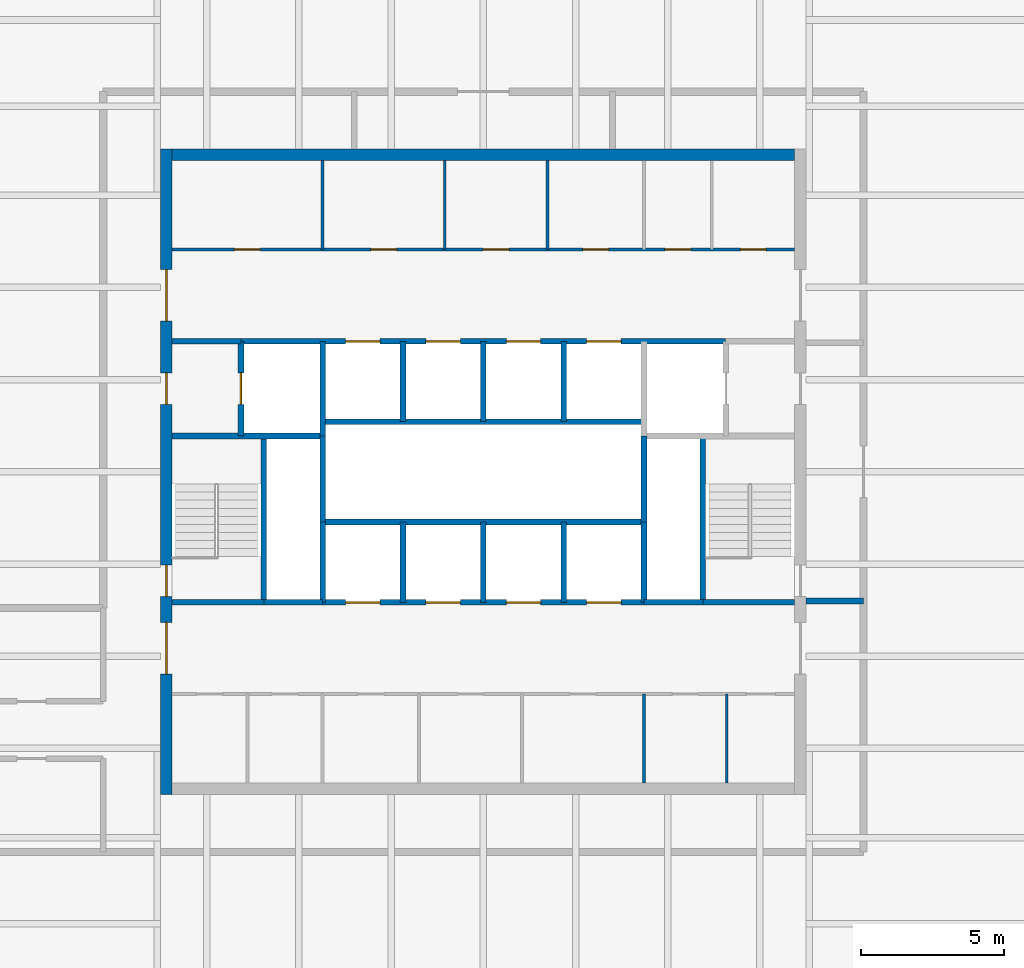
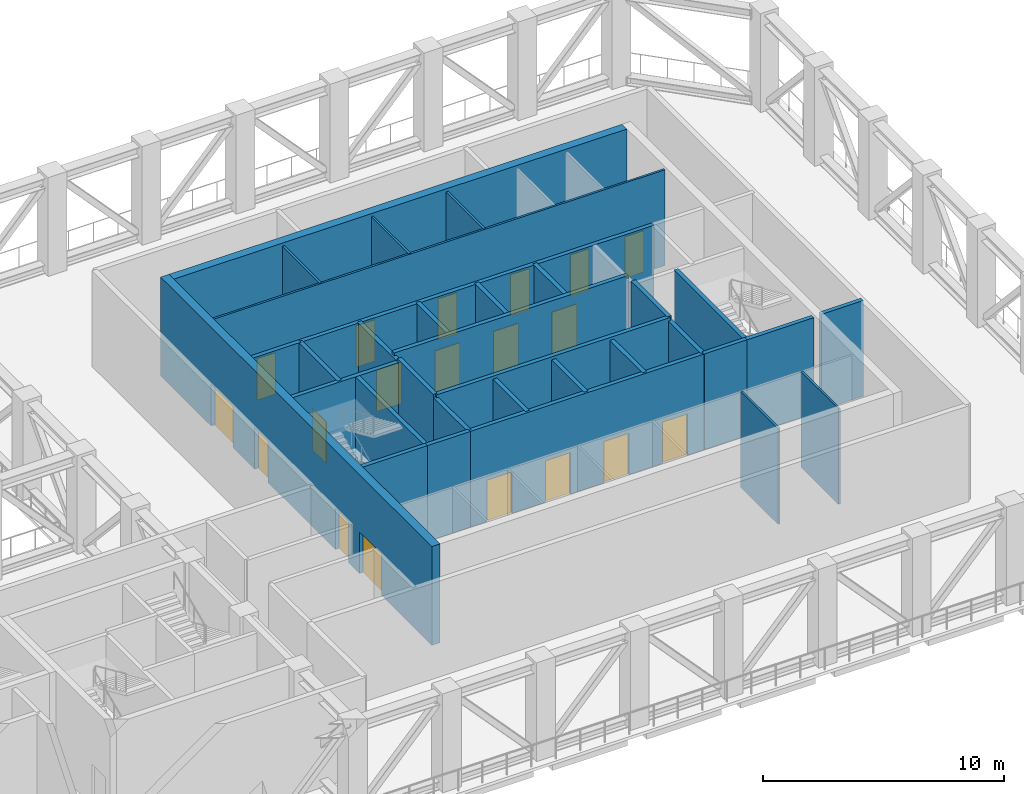
# One storey, part 5 of 13: 33 walls, 19 doors, 19 openings.
"""IFC4 building model written with IfcOpenShell, lengths in metres."""

from ifc_helpers import new_model, si_unit, direction, frame, frame_2d, origin, place, context, subcontext, project, spatial, rectangle, extrude, material, layer, layer_set, type_object, element, fill, save


model = new_model("IFC4")

# Units and contexts
model_context = context("Model", 3, precision=1e-05, world=origin(), true_north=direction((0.0, 1.0)))
body_context = subcontext(model_context, "Body", "Model", "MODEL_VIEW")
ifc_project = project(units=[si_unit("LENGTHUNIT", "METRE"), si_unit("AREAUNIT", "SQUARE_METRE"), si_unit("VOLUMEUNIT", "CUBIC_METRE"), si_unit("PLANEANGLEUNIT", "RADIAN"), si_unit("MASSUNIT", "GRAM", prefix="KILO")], contexts=[model_context])

# Site, building, storey
site_placement = place(None, origin())
site = spatial("IfcSite", under=ifc_project, at=site_placement, CompositionType="ELEMENT")
building_placement = place(site_placement, origin())
building = spatial("IfcBuilding", under=site, at=building_placement, Name="Quoin Convention Tower", CompositionType="ELEMENT")
storey_placement = place(building_placement, frame((0.0, 0.0, 206.89990234375)))
storey = spatial("IfcBuildingStorey", under=building, at=storey_placement, Name="L54", CompositionType="ELEMENT", Elevation=206.89990234375)

# Wall, openings, doors
ifc_material_1 = material(Name="Plasterboard")
ifc_layer_1 = layer(ifc_material_1, 0.012451171875, Name="Finish")
ifc_material_2 = material(Name="Steel stud framing", Category="steel")
ifc_layer_2 = layer(ifc_material_2, 0.074951171875, Name="Structure")
ifc_layer_3 = layer(ifc_material_1, 0.012451171875, Name="Finish")
ifc_layer_set_1 = layer_set([ifc_layer_1, ifc_layer_2, ifc_layer_3], Name="Steel stud framing")
wall_type_1 = type_object("IfcWallType", Name="Core partition wall", PredefinedType="PARTITIONING", material=ifc_layer_set_1)
wall_1_placement = place(storey_placement, frame((45.39990234375, 68.5, 0.0), z_axis=(0.0, 0.0, 1.0), x_axis=(1.0, 0.0, 0.0)))
wall_1 = element("IfcWall", 1, at=wall_1_placement, inside=storey, type_object=wall_type_1, Name="cr-C1-L54-h19000_400", PredefinedType="PARTITIONING", context=body_context, shape_type="SweptSolid", body=[
    extrude(rectangle(XDim=21.7001953125, YDim=0.10009765625, at=frame_2d((10.85009765625, 0.0))), origin(), (0.0, 0.0, 1.0), 4.85009765625),
])
opening_1_placement = place(wall_1_placement, frame((19.806396484375, 0.0, 0.0)))
opening_1 = element("IfcOpeningElement", 2, at=opening_1_placement, cuts=wall_1, Name="Opening DCV0-22", PredefinedType="OPENING", context=body_context, shape_type="SweptSolid", body=[
    extrude(rectangle(XDim=0.89990234375, YDim=2.10009765625, at=frame_2d((0.449951171875, 1.050048828125))), frame((0.0, 0.06005859375, 0.0), z_axis=(0.0, -1.0, 0.0), x_axis=(1.0, 0.0, 0.0)), (0.0, 0.0, 1.0), 0.1201171875),
])
opening_2_placement = place(wall_1_placement, frame((17.181396484375, 0.0, 0.0)))
opening_2 = element("IfcOpeningElement", 3, at=opening_2_placement, cuts=wall_1, Name="Opening DCV0-21", PredefinedType="OPENING", context=body_context, shape_type="SweptSolid", body=[
    extrude(rectangle(XDim=0.89990234375, YDim=2.10009765625, at=frame_2d((0.449951171875, 1.050048828125))), frame((0.0, 0.06005859375, 0.0), z_axis=(0.0, -1.0, 0.0), x_axis=(1.0, 0.0, 0.0)), (0.0, 0.0, 1.0), 0.1201171875),
])
opening_3_placement = place(wall_1_placement, frame((2.175048828125, 0.0, 0.0)))
opening_3 = element("IfcOpeningElement", 4, at=opening_3_placement, cuts=wall_1, Name="Opening DCV0-15", PredefinedType="OPENING", context=body_context, shape_type="SweptSolid", body=[
    extrude(rectangle(XDim=0.89990234375, YDim=2.10009765625, at=frame_2d((0.449951171875, 1.050048828125))), frame((0.0, 0.06005859375, 0.0), z_axis=(0.0, -1.0, 0.0), x_axis=(1.0, 0.0, 0.0)), (0.0, 0.0, 1.0), 0.1201171875),
])
opening_4_placement = place(wall_1_placement, frame((14.320068359375, 0.0, 0.0)))
opening_4 = element("IfcOpeningElement", 5, at=opening_4_placement, cuts=wall_1, Name="Opening DCV0-20", PredefinedType="OPENING", context=body_context, shape_type="SweptSolid", body=[
    extrude(rectangle(XDim=0.89990234375, YDim=2.10009765625, at=frame_2d((0.449951171875, 1.050048828125))), frame((0.0, 0.06005859375, 0.0), z_axis=(0.0, -1.0, 0.0), x_axis=(1.0, 0.0, 0.0)), (0.0, 0.0, 1.0), 0.1201171875),
])
opening_5_placement = place(wall_1_placement, frame((10.847900390625, 0.0, 0.0)))
opening_5 = element("IfcOpeningElement", 6, at=opening_5_placement, cuts=wall_1, Name="Opening DCV0-18", PredefinedType="OPENING", context=body_context, shape_type="SweptSolid", body=[
    extrude(rectangle(XDim=0.89990234375, YDim=2.10009765625, at=frame_2d((0.449951171875, 1.050048828125))), frame((0.0, 0.06005859375, 0.0), z_axis=(0.0, -1.0, 0.0), x_axis=(1.0, 0.0, 0.0)), (0.0, 0.0, 1.0), 0.1201171875),
])
opening_6_placement = place(wall_1_placement, frame((6.927978515625, 0.0, 0.0)))
opening_6 = element("IfcOpeningElement", 7, at=opening_6_placement, cuts=wall_1, Name="Opening DCV0-16", PredefinedType="OPENING", context=body_context, shape_type="SweptSolid", body=[
    extrude(rectangle(XDim=0.89990234375, YDim=2.10009765625, at=frame_2d((0.449951171875, 1.050048828125))), frame((0.0, 0.06005859375, 0.0), z_axis=(0.0, -1.0, 0.0), x_axis=(1.0, 0.0, 0.0)), (0.0, 0.0, 1.0), 0.1201171875),
])
ifc_material_3 = material(Name="Steel door leaf", Category="steel")
door_type_1 = type_object("IfcDoorType", Name="Core room door 900 x 2100", OperationType="SINGLE_SWING_LEFT", PredefinedType="DOOR", material=ifc_material_3)
door_1_placement = place(opening_1_placement, origin())
door_1 = element("IfcDoor", 8, at=door_1_placement, inside=storey, type_object=door_type_1, Name="cd-C1-L54-CNE0-lobB-CD5407", OperationType="SINGLE_SWING_RIGHT", OverallHeight=2.10009765625, OverallWidth=0.89990234375, PredefinedType="DOOR", context=body_context, shape_type="SweptSolid", body=[
    extrude(rectangle(XDim=0.89990234375, YDim=2.10009765625, at=frame_2d((0.449951171875, 1.050048828125))), frame((0.0, 0.02490234375, 0.0), z_axis=(0.0, -1.0, 0.0), x_axis=(1.0, 0.0, 0.0)), (0.0, 0.0, 1.0), 0.050048828125),
])
fill(opening_1, door_1)
door_2_placement = place(opening_2_placement, origin())
door_2 = element("IfcDoor", 9, at=door_2_placement, inside=storey, type_object=door_type_1, Name="cd-C1-L54-CNE1-lobB-CD5408", OperationType="SINGLE_SWING_RIGHT", OverallHeight=2.10009765625, OverallWidth=0.89990234375, PredefinedType="DOOR", context=body_context, shape_type="SweptSolid", body=[
    extrude(rectangle(XDim=0.89990234375, YDim=2.10009765625, at=frame_2d((0.449951171875, 1.050048828125))), frame((0.0, 0.02490234375, 0.0), z_axis=(0.0, -1.0, 0.0), x_axis=(1.0, 0.0, 0.0)), (0.0, 0.0, 1.0), 0.050048828125),
])
fill(opening_2, door_2)
door_3_placement = place(opening_3_placement, origin())
door_3 = element("IfcDoor", 10, at=door_3_placement, inside=storey, type_object=door_type_1, Name="cd-C1-L54-CNW0-lobB-CD5409", OperationType="SINGLE_SWING_RIGHT", OverallHeight=2.10009765625, OverallWidth=0.89990234375, PredefinedType="DOOR", context=body_context, shape_type="SweptSolid", body=[
    extrude(rectangle(XDim=0.89990234375, YDim=2.10009765625, at=frame_2d((0.449951171875, 1.050048828125))), frame((0.0, 0.02490234375, 0.0), z_axis=(0.0, -1.0, 0.0), x_axis=(1.0, 0.0, 0.0)), (0.0, 0.0, 1.0), 0.050048828125),
])
fill(opening_3, door_3)
door_4_placement = place(opening_4_placement, origin())
door_4 = element("IfcDoor", 11, at=door_4_placement, inside=storey, type_object=door_type_1, Name="cd-C1-L54-F40-lobB-CD5417", OperationType="SINGLE_SWING_RIGHT", OverallHeight=2.10009765625, OverallWidth=0.89990234375, PredefinedType="DOOR", context=body_context, shape_type="SweptSolid", body=[
    extrude(rectangle(XDim=0.89990234375, YDim=2.10009765625, at=frame_2d((0.449951171875, 1.050048828125))), frame((0.0, 0.02490234375, 0.0), z_axis=(0.0, -1.0, 0.0), x_axis=(1.0, 0.0, 0.0)), (0.0, 0.0, 1.0), 0.050048828125),
])
fill(opening_4, door_4)
door_5_placement = place(opening_5_placement, origin())
door_5 = element("IfcDoor", 12, at=door_5_placement, inside=storey, type_object=door_type_1, Name="cd-C1-L54-F41-lobB-CD5418", OperationType="SINGLE_SWING_RIGHT", OverallHeight=2.10009765625, OverallWidth=0.89990234375, PredefinedType="DOOR", context=body_context, shape_type="SweptSolid", body=[
    extrude(rectangle(XDim=0.89990234375, YDim=2.10009765625, at=frame_2d((0.449951171875, 1.050048828125))), frame((0.0, 0.02490234375, 0.0), z_axis=(0.0, -1.0, 0.0), x_axis=(1.0, 0.0, 0.0)), (0.0, 0.0, 1.0), 0.050048828125),
])
fill(opening_5, door_5)
door_6_placement = place(opening_6_placement, origin())
door_6 = element("IfcDoor", 13, at=door_6_placement, inside=storey, type_object=door_type_1, Name="cd-C1-L54-F42-lobB-CD5419", OperationType="SINGLE_SWING_RIGHT", OverallHeight=2.10009765625, OverallWidth=0.89990234375, PredefinedType="DOOR", context=body_context, shape_type="SweptSolid", body=[
    extrude(rectangle(XDim=0.89990234375, YDim=2.10009765625, at=frame_2d((0.449951171875, 1.050048828125))), frame((0.0, 0.02490234375, 0.0), z_axis=(0.0, -1.0, 0.0), x_axis=(1.0, 0.0, 0.0)), (0.0, 0.0, 1.0), 0.050048828125),
])
fill(opening_6, door_6)

# Walls
for number, where, z_axis, x_axis, name in (
    (14, (50.64990234375, 68.5, 0.0), (0.0, 0.0, 1.0), (0.0, 1.0, 0.0), "cr-C1-L54-v5650_19000"),
    (15, (54.906005859375, 68.5, 0.0), (0.0, 0.0, 1.0), (0.0, 1.0, 0.0), "cr-C1-L54-v9906_19000"),
    (16, (58.489990234375, 68.5, 0.0), (0.0, 0.0, 1.0), (0.0, 1.0, 0.0), "cr-C1-L54-v13490_19000"),
    (17, (61.85009765625, 49.89990234375, 0.0), (0.0, 0.0, 1.0), (0.0, 1.0, 0.0), "cr-C1-L54-v16850_400"),
    (18, (64.737548828125, 49.89990234375, 0.0), (0.0, 0.0, 1.0), (0.0, 1.0, 0.0), "cr-C1-L54-v19738_400"),
):
    element("IfcWall", number, at=place(storey_placement, frame(where, z_axis=z_axis, x_axis=x_axis)), inside=storey, type_object=wall_type_1, Name=name, PredefinedType="PARTITIONING", context=body_context, shape_type="SweptSolid", body=[
        extrude(rectangle(XDim=3.10009765625, YDim=0.10009765625, at=frame_2d((1.550048828125, 0.0))), origin(), (0.0, 0.0, 1.0), 4.85009765625),
    ])
ifc_material_4 = material(Name="Concrete C50", Category="concrete")
ifc_layer_4 = layer(ifc_material_4, 0.199951171875)
ifc_layer_set_2 = layer_set([ifc_layer_4], Name="Concrete C50")
wall_type_2 = type_object("IfcWallType", Name="Core shaft wall", PredefinedType="SOLIDWALL", material=ifc_layer_set_2)
for number, where, z_axis, x_axis, name in (
    (19, (48.60009765625, 56.199951171875, 0.0), (0.0, 0.0, 1.0), (1.0, 0.0, 0.0), "cr-C1-L54-h6700_3600"),
    (20, (61.85009765625, 56.199951171875, 0.0), (0.0, 0.0, 1.0), (1.0, 0.0, 0.0), "cr-C1-L54-h6700_16850"),
):
    element("IfcWall", number, at=place(storey_placement, frame(where, z_axis=z_axis, x_axis=x_axis)), inside=storey, type_object=wall_type_2, Name=name, PredefinedType="SOLIDWALL", context=body_context, shape_type="SweptSolid", body=[
        extrude(rectangle(XDim=2.0498046875, YDim=0.199951171875, at=frame_2d((1.02490234375, 0.0))), origin(), (0.0, 0.0, 1.0), 4.85009765625),
    ])
wall_2_placement = place(storey_placement, frame((45.39990234375, 56.199951171875, 0.0), z_axis=(0.0, 0.0, 1.0), x_axis=(1.0, 0.0, 0.0)))
element("IfcWall", 21, at=wall_2_placement, inside=storey, type_object=wall_type_2, Name="cr-C1-L54-h6700_400", PredefinedType="SOLIDWALL", context=body_context, shape_type="SweptSolid", body=[
    extrude(rectangle(XDim=3.2001953125, YDim=0.199951171875, at=frame_2d((1.60009765625, 0.0))), origin(), (0.0, 0.0, 1.0), 4.85009765625),
])

# Wall, openings, doors
wall_3_placement = place(storey_placement, frame((50.64990234375, 56.199951171875, 0.0), z_axis=(0.0, 0.0, 1.0), x_axis=(1.0, 0.0, 0.0)))
wall_3 = element("IfcWall", 22, at=wall_3_placement, inside=storey, type_object=wall_type_2, Name="cr-C1-L54-h6700_5650", PredefinedType="SOLIDWALL", context=body_context, shape_type="SweptSolid", body=[
    extrude(rectangle(XDim=11.2001953125, YDim=0.199951171875, at=frame_2d((5.60009765625, 0.0))), origin(), (0.0, 0.0, 1.0), 4.85009765625),
])
opening_7_placement = place(wall_3_placement, frame((0.800048828125, 0.0, 0.0)))
opening_7 = element("IfcOpeningElement", 23, at=opening_7_placement, cuts=wall_3, Name="Opening LDH1", PredefinedType="OPENING", context=body_context, shape_type="SweptSolid", body=[
    extrude(rectangle(XDim=1.199951171875, YDim=2.10009765625, at=frame_2d((0.60009765625, 1.050048828125))), frame((0.0, 0.10986328125, 0.0), z_axis=(0.0, -1.0, 0.0), x_axis=(1.0, 0.0, 0.0)), (0.0, 0.0, 1.0), 0.219970703125),
])
opening_8_placement = place(wall_3_placement, frame((3.60009765625, 0.0, 0.0)))
opening_8 = element("IfcOpeningElement", 24, at=opening_8_placement, cuts=wall_3, Name="Opening LDH2", PredefinedType="OPENING", context=body_context, shape_type="SweptSolid", body=[
    extrude(rectangle(XDim=1.199951171875, YDim=2.10009765625, at=frame_2d((0.60009765625, 1.050048828125))), frame((0.0, 0.10986328125, 0.0), z_axis=(0.0, -1.0, 0.0), x_axis=(1.0, 0.0, 0.0)), (0.0, 0.0, 1.0), 0.219970703125),
])
opening_9_placement = place(wall_3_placement, frame((6.39990234375, 0.0, 0.0)))
opening_9 = element("IfcOpeningElement", 25, at=opening_9_placement, cuts=wall_3, Name="Opening LDH3", PredefinedType="OPENING", context=body_context, shape_type="SweptSolid", body=[
    extrude(rectangle(XDim=1.199951171875, YDim=2.10009765625, at=frame_2d((0.60009765625, 1.050048828125))), frame((0.0, 0.10986328125, 0.0), z_axis=(0.0, -1.0, 0.0), x_axis=(1.0, 0.0, 0.0)), (0.0, 0.0, 1.0), 0.219970703125),
])
opening_10_placement = place(wall_3_placement, frame((9.199951171875, 0.0, 0.0)))
opening_10 = element("IfcOpeningElement", 26, at=opening_10_placement, cuts=wall_3, Name="Opening LDH4", PredefinedType="OPENING", context=body_context, shape_type="SweptSolid", body=[
    extrude(rectangle(XDim=1.199951171875, YDim=2.10009765625, at=frame_2d((0.60009765625, 1.050048828125))), frame((0.0, 0.10986328125, 0.0), z_axis=(0.0, -1.0, 0.0), x_axis=(1.0, 0.0, 0.0)), (0.0, 0.0, 1.0), 0.219970703125),
])
door_type_2 = type_object("IfcDoorType", Name="Lift landing door 1200 x 2100", OperationType="DOUBLE_DOOR_SLIDING", PredefinedType="DOOR", material=ifc_material_3)
door_7_placement = place(opening_7_placement, origin())
door_7 = element("IfcDoor", 27, at=door_7_placement, inside=storey, type_object=door_type_2, Name="cd-C1-L54-R20-lobA-LDH1", OperationType="DOUBLE_DOOR_SLIDING", OverallHeight=2.10009765625, OverallWidth=1.199951171875, PredefinedType="DOOR", context=body_context, shape_type="SweptSolid", body=[
    extrude(rectangle(XDim=1.199951171875, YDim=2.10009765625, at=frame_2d((0.60009765625, 1.050048828125))), frame((0.0, 0.02490234375, 0.0), z_axis=(0.0, -1.0, 0.0), x_axis=(1.0, 0.0, 0.0)), (0.0, 0.0, 1.0), 0.050048828125),
])
fill(opening_7, door_7)
door_8_placement = place(opening_8_placement, origin())
door_8 = element("IfcDoor", 28, at=door_8_placement, inside=storey, type_object=door_type_2, Name="cd-C1-L54-R21-lobA-LDH2", OperationType="DOUBLE_DOOR_SLIDING", OverallHeight=2.10009765625, OverallWidth=1.199951171875, PredefinedType="DOOR", context=body_context, shape_type="SweptSolid", body=[
    extrude(rectangle(XDim=1.199951171875, YDim=2.10009765625, at=frame_2d((0.60009765625, 1.050048828125))), frame((0.0, 0.02490234375, 0.0), z_axis=(0.0, -1.0, 0.0), x_axis=(1.0, 0.0, 0.0)), (0.0, 0.0, 1.0), 0.050048828125),
])
fill(opening_8, door_8)
door_9_placement = place(opening_9_placement, origin())
door_9 = element("IfcDoor", 29, at=door_9_placement, inside=storey, type_object=door_type_2, Name="cd-C1-L54-R22-lobA-LDH3", OperationType="DOUBLE_DOOR_SLIDING", OverallHeight=2.10009765625, OverallWidth=1.199951171875, PredefinedType="DOOR", context=body_context, shape_type="SweptSolid", body=[
    extrude(rectangle(XDim=1.199951171875, YDim=2.10009765625, at=frame_2d((0.60009765625, 1.050048828125))), frame((0.0, 0.02490234375, 0.0), z_axis=(0.0, -1.0, 0.0), x_axis=(1.0, 0.0, 0.0)), (0.0, 0.0, 1.0), 0.050048828125),
])
fill(opening_9, door_9)
door_10_placement = place(opening_10_placement, origin())
door_10 = element("IfcDoor", 30, at=door_10_placement, inside=storey, type_object=door_type_2, Name="cd-C1-L54-R23-lobA-LDH4", OperationType="DOUBLE_DOOR_SLIDING", OverallHeight=2.10009765625, OverallWidth=1.199951171875, PredefinedType="DOOR", context=body_context, shape_type="SweptSolid", body=[
    extrude(rectangle(XDim=1.199951171875, YDim=2.10009765625, at=frame_2d((0.60009765625, 1.050048828125))), frame((0.0, 0.02490234375, 0.0), z_axis=(0.0, -1.0, 0.0), x_axis=(1.0, 0.0, 0.0)), (0.0, 0.0, 1.0), 0.050048828125),
])
fill(opening_10, door_10)

# Walls
wall_4_placement = place(storey_placement, frame((63.89990234375, 56.199951171875, 0.0), z_axis=(0.0, 0.0, 1.0), x_axis=(1.0, 0.0, 0.0)))
element("IfcWall", 31, at=wall_4_placement, inside=storey, type_object=wall_type_2, Name="cr-C1-L54-h6700_18900", PredefinedType="SOLIDWALL", context=body_context, shape_type="SweptSolid", body=[
    extrude(rectangle(XDim=3.2001953125, YDim=0.199951171875, at=frame_2d((1.60009765625, 0.0))), origin(), (0.0, 0.0, 1.0), 4.85009765625),
])
wall_5_placement = place(storey_placement, frame((45.39990234375, 62.0, 0.0), z_axis=(0.0, 0.0, 1.0), x_axis=(1.0, 0.0, 0.0)))
element("IfcWall", 32, at=wall_5_placement, inside=storey, type_object=wall_type_2, Name="cr-C1-L54-h12500_400", PredefinedType="SOLIDWALL", context=body_context, shape_type="SweptSolid", body=[
    extrude(rectangle(XDim=5.25, YDim=0.199951171875, at=frame_2d((2.625, 0.0))), origin(), (0.0, 0.0, 1.0), 4.85009765625),
])
wall_6_placement = place(storey_placement, frame((45.39990234375, 65.300048828125, 0.0), z_axis=(0.0, 0.0, 1.0), x_axis=(1.0, 0.0, 0.0)))
element("IfcWall", 33, at=wall_6_placement, inside=storey, type_object=wall_type_2, Name="cr-C1-L54-h15800_400", PredefinedType="SOLIDWALL", context=body_context, shape_type="SweptSolid", body=[
    extrude(rectangle(XDim=2.400146484375, YDim=0.199951171875, at=frame_2d((1.2001953125, 0.0))), origin(), (0.0, 0.0, 1.0), 4.85009765625),
])

# Wall, openings, doors
wall_7_placement = place(storey_placement, frame((47.800048828125, 65.300048828125, 0.0), z_axis=(0.0, 0.0, 1.0), x_axis=(1.0, 0.0, 0.0)))
wall_7 = element("IfcWall", 34, at=wall_7_placement, inside=storey, type_object=wall_type_2, Name="cr-C1-L54-h15800_2800", PredefinedType="SOLIDWALL", context=body_context, shape_type="SweptSolid", body=[
    extrude(rectangle(XDim=16.89990234375, YDim=0.199951171875, at=frame_2d((8.449951171875, 0.0))), origin(), (0.0, 0.0, 1.0), 4.85009765625),
])
opening_11_placement = place(wall_7_placement, frame((3.64990234375, 0.0, 0.0)))
opening_11 = element("IfcOpeningElement", 35, at=opening_11_placement, cuts=wall_7, Name="Opening LDH5", PredefinedType="OPENING", context=body_context, shape_type="SweptSolid", body=[
    extrude(rectangle(XDim=1.199951171875, YDim=2.10009765625, at=frame_2d((0.60009765625, 1.050048828125))), frame((0.0, 0.10986328125, 0.0), z_axis=(0.0, -1.0, 0.0), x_axis=(1.0, 0.0, 0.0)), (0.0, 0.0, 1.0), 0.219970703125),
])
opening_12_placement = place(wall_7_placement, frame((6.449951171875, 0.0, 0.0)))
opening_12 = element("IfcOpeningElement", 36, at=opening_12_placement, cuts=wall_7, Name="Opening LDH6", PredefinedType="OPENING", context=body_context, shape_type="SweptSolid", body=[
    extrude(rectangle(XDim=1.199951171875, YDim=2.10009765625, at=frame_2d((0.60009765625, 1.050048828125))), frame((0.0, 0.10986328125, 0.0), z_axis=(0.0, -1.0, 0.0), x_axis=(1.0, 0.0, 0.0)), (0.0, 0.0, 1.0), 0.219970703125),
])
opening_13_placement = place(wall_7_placement, frame((9.25, 0.0, 0.0)))
opening_13 = element("IfcOpeningElement", 37, at=opening_13_placement, cuts=wall_7, Name="Opening LDH7", PredefinedType="OPENING", context=body_context, shape_type="SweptSolid", body=[
    extrude(rectangle(XDim=1.199951171875, YDim=2.10009765625, at=frame_2d((0.60009765625, 1.050048828125))), frame((0.0, 0.10986328125, 0.0), z_axis=(0.0, -1.0, 0.0), x_axis=(1.0, 0.0, 0.0)), (0.0, 0.0, 1.0), 0.219970703125),
])
opening_14_placement = place(wall_7_placement, frame((12.050048828125, 0.0, 0.0)))
opening_14 = element("IfcOpeningElement", 38, at=opening_14_placement, cuts=wall_7, Name="Opening LDH8", PredefinedType="OPENING", context=body_context, shape_type="SweptSolid", body=[
    extrude(rectangle(XDim=1.199951171875, YDim=2.10009765625, at=frame_2d((0.60009765625, 1.050048828125))), frame((0.0, 0.10986328125, 0.0), z_axis=(0.0, -1.0, 0.0), x_axis=(1.0, 0.0, 0.0)), (0.0, 0.0, 1.0), 0.219970703125),
])
door_11_placement = place(opening_11_placement, origin())
door_11 = element("IfcDoor", 39, at=door_11_placement, inside=storey, type_object=door_type_2, Name="cd-C1-L54-R30-lobB-LDH5", OperationType="DOUBLE_DOOR_SLIDING", OverallHeight=2.10009765625, OverallWidth=1.199951171875, PredefinedType="DOOR", context=body_context, shape_type="SweptSolid", body=[
    extrude(rectangle(XDim=1.199951171875, YDim=2.10009765625, at=frame_2d((0.60009765625, 1.050048828125))), frame((0.0, 0.02490234375, 0.0), z_axis=(0.0, -1.0, 0.0), x_axis=(1.0, 0.0, 0.0)), (0.0, 0.0, 1.0), 0.050048828125),
])
fill(opening_11, door_11)
door_12_placement = place(opening_12_placement, origin())
door_12 = element("IfcDoor", 40, at=door_12_placement, inside=storey, type_object=door_type_2, Name="cd-C1-L54-R31-lobB-LDH6", OperationType="DOUBLE_DOOR_SLIDING", OverallHeight=2.10009765625, OverallWidth=1.199951171875, PredefinedType="DOOR", context=body_context, shape_type="SweptSolid", body=[
    extrude(rectangle(XDim=1.199951171875, YDim=2.10009765625, at=frame_2d((0.60009765625, 1.050048828125))), frame((0.0, 0.02490234375, 0.0), z_axis=(0.0, -1.0, 0.0), x_axis=(1.0, 0.0, 0.0)), (0.0, 0.0, 1.0), 0.050048828125),
])
fill(opening_12, door_12)
door_13_placement = place(opening_13_placement, origin())
door_13 = element("IfcDoor", 41, at=door_13_placement, inside=storey, type_object=door_type_2, Name="cd-C1-L54-R32-lobB-LDH7", OperationType="DOUBLE_DOOR_SLIDING", OverallHeight=2.10009765625, OverallWidth=1.199951171875, PredefinedType="DOOR", context=body_context, shape_type="SweptSolid", body=[
    extrude(rectangle(XDim=1.199951171875, YDim=2.10009765625, at=frame_2d((0.60009765625, 1.050048828125))), frame((0.0, 0.02490234375, 0.0), z_axis=(0.0, -1.0, 0.0), x_axis=(1.0, 0.0, 0.0)), (0.0, 0.0, 1.0), 0.050048828125),
])
fill(opening_13, door_13)
door_14_placement = place(opening_14_placement, origin())
door_14 = element("IfcDoor", 42, at=door_14_placement, inside=storey, type_object=door_type_2, Name="cd-C1-L54-R33-lobB-LDH8", OperationType="DOUBLE_DOOR_SLIDING", OverallHeight=2.10009765625, OverallWidth=1.199951171875, PredefinedType="DOOR", context=body_context, shape_type="SweptSolid", body=[
    extrude(rectangle(XDim=1.199951171875, YDim=2.10009765625, at=frame_2d((0.60009765625, 1.050048828125))), frame((0.0, 0.02490234375, 0.0), z_axis=(0.0, -1.0, 0.0), x_axis=(1.0, 0.0, 0.0)), (0.0, 0.0, 1.0), 0.050048828125),
])
fill(opening_14, door_14)

# Wall, opening, door
wall_8_placement = place(storey_placement, frame((47.800048828125, 62.0, 0.0), z_axis=(0.0, 0.0, 1.0), x_axis=(0.0, 1.0, 0.0)))
wall_8 = element("IfcWall", 43, at=wall_8_placement, inside=storey, type_object=wall_type_2, Name="cr-C1-L54-v2800_12500", PredefinedType="SOLIDWALL", context=body_context, shape_type="SweptSolid", body=[
    extrude(rectangle(XDim=3.300048828125, YDim=0.199951171875, at=frame_2d((1.64990234375, 0.0))), origin(), (0.0, 0.0, 1.0), 4.85009765625),
])
opening_15_placement = place(wall_8_placement, frame((1.10009765625, 0.0, 0.0)))
opening_15 = element("IfcOpeningElement", 44, at=opening_15_placement, cuts=wall_8, Name="Opening LDFL1", PredefinedType="OPENING", context=body_context, shape_type="SweptSolid", body=[
    extrude(rectangle(XDim=1.10009765625, YDim=2.10009765625, at=frame_2d((0.550048828125, 1.050048828125))), frame((0.0, 0.10986328125, 0.0), z_axis=(0.0, -1.0, 0.0), x_axis=(1.0, 0.0, 0.0)), (0.0, 0.0, 1.0), 0.219970703125),
])
door_type_3 = type_object("IfcDoorType", Name="Lift landing door 1100 x 2100", OperationType="DOUBLE_DOOR_SLIDING", PredefinedType="DOOR", material=ifc_material_3)
door_15_placement = place(opening_15_placement, origin())
door_15 = element("IfcDoor", 45, at=door_15_placement, inside=storey, type_object=door_type_3, Name="cd-C1-L54-FLW-FFW-LDFL1", OperationType="DOUBLE_DOOR_SLIDING", OverallHeight=2.10009765625, OverallWidth=1.10009765625, PredefinedType="DOOR", context=body_context, shape_type="SweptSolid", body=[
    extrude(rectangle(XDim=1.10009765625, YDim=2.10009765625, at=frame_2d((0.550048828125, 1.050048828125))), frame((0.0, 0.02490234375, 0.0), z_axis=(0.0, -1.0, 0.0), x_axis=(1.0, 0.0, 0.0)), (0.0, 0.0, 1.0), 0.050048828125),
])
fill(opening_15, door_15)

# Walls
wall_9_placement = place(storey_placement, frame((48.60009765625, 56.199951171875, 0.0), z_axis=(0.0, 0.0, 1.0), x_axis=(0.0, 1.0, 0.0)))
element("IfcWall", 46, at=wall_9_placement, inside=storey, type_object=wall_type_2, Name="cr-C1-L54-v3600_6700", PredefinedType="SOLIDWALL", context=body_context, shape_type="SweptSolid", body=[
    extrude(rectangle(XDim=5.800048828125, YDim=0.199951171875, at=frame_2d((2.89990234375, 0.0))), origin(), (0.0, 0.0, 1.0), 4.85009765625),
])
wall_10_placement = place(storey_placement, frame((50.64990234375, 56.199951171875, 0.0), z_axis=(0.0, 0.0, 1.0), x_axis=(0.0, 1.0, 0.0)))
element("IfcWall", 47, at=wall_10_placement, inside=storey, type_object=wall_type_2, Name="cr-C1-L54-v5650_6700", PredefinedType="SOLIDWALL", context=body_context, shape_type="SweptSolid", body=[
    extrude(rectangle(XDim=2.800048828125, YDim=0.199951171875, at=frame_2d((1.39990234375, 0.0))), origin(), (0.0, 0.0, 1.0), 4.85009765625),
])
wall_11_placement = place(storey_placement, frame((50.64990234375, 62.0, 0.0), z_axis=(0.0, 0.0, 1.0), x_axis=(0.0, 1.0, 0.0)))
element("IfcWall", 48, at=wall_11_placement, inside=storey, type_object=wall_type_2, Name="cr-C1-L54-v5650_12500", PredefinedType="SOLIDWALL", context=body_context, shape_type="SweptSolid", body=[
    extrude(rectangle(XDim=3.300048828125, YDim=0.199951171875, at=frame_2d((1.64990234375, 0.0))), origin(), (0.0, 0.0, 1.0), 4.85009765625),
])
for number, where, z_axis, x_axis, name in (
    (49, (53.449951171875, 56.199951171875, 0.0), (0.0, 0.0, 1.0), (0.0, 1.0, 0.0), "cr-C1-L54-v8450_6700"),
    (50, (53.449951171875, 62.5, 0.0), (0.0, 0.0, 1.0), (0.0, 1.0, 0.0), "cr-C1-L54-v8450_13000"),
    (51, (56.25, 56.199951171875, 0.0), (0.0, 0.0, 1.0), (0.0, 1.0, 0.0), "cr-C1-L54-v11250_6700"),
    (52, (56.25, 62.5, 0.0), (0.0, 0.0, 1.0), (0.0, 1.0, 0.0), "cr-C1-L54-v11250_13000"),
    (53, (59.050048828125, 56.199951171875, 0.0), (0.0, 0.0, 1.0), (0.0, 1.0, 0.0), "cr-C1-L54-v14050_6700"),
    (54, (59.050048828125, 62.5, 0.0), (0.0, 0.0, 1.0), (0.0, 1.0, 0.0), "cr-C1-L54-v14050_13000"),
    (55, (61.85009765625, 56.199951171875, 0.0), (0.0, 0.0, 1.0), (0.0, 1.0, 0.0), "cr-C1-L54-v16850_6700"),
):
    element("IfcWall", number, at=place(storey_placement, frame(where, z_axis=z_axis, x_axis=x_axis)), inside=storey, type_object=wall_type_2, Name=name, PredefinedType="SOLIDWALL", context=body_context, shape_type="SweptSolid", body=[
        extrude(rectangle(XDim=2.800048828125, YDim=0.199951171875, at=frame_2d((1.39990234375, 0.0))), origin(), (0.0, 0.0, 1.0), 4.85009765625),
    ])
wall_12_placement = place(storey_placement, frame((63.89990234375, 56.199951171875, 0.0), z_axis=(0.0, 0.0, 1.0), x_axis=(0.0, 1.0, 0.0)))
element("IfcWall", 56, at=wall_12_placement, inside=storey, type_object=wall_type_2, Name="cr-C1-L54-v18900_6700", PredefinedType="SOLIDWALL", context=body_context, shape_type="SweptSolid", body=[
    extrude(rectangle(XDim=5.800048828125, YDim=0.199951171875, at=frame_2d((2.89990234375, 0.0))), origin(), (0.0, 0.0, 1.0), 4.85009765625),
])
ifc_layer_5 = layer(ifc_material_4, 0.199951171875)
ifc_layer_set_3 = layer_set([ifc_layer_5], Name="Concrete C50")
wall_type_3 = type_object("IfcWallType", Name="Core shaft wall to the floor level over", PredefinedType="SOLIDWALL", material=ifc_layer_set_3)
for number, where, z_axis, x_axis, name in (
    (57, (50.64990234375, 59.0, 0.0), (0.0, 0.0, 1.0), (1.0, 0.0, 0.0), "cr-C1-L54-h9500_5650"),
    (58, (50.64990234375, 62.5, 0.0), (0.0, 0.0, 1.0), (1.0, 0.0, 0.0), "cr-C1-L54-h13000_5650"),
):
    element("IfcWall", number, at=place(storey_placement, frame(where, z_axis=z_axis, x_axis=x_axis)), inside=storey, type_object=wall_type_3, Name=name, PredefinedType="SOLIDWALL", context=body_context, shape_type="SweptSolid", body=[
        extrude(rectangle(XDim=11.2001953125, YDim=0.199951171875, at=frame_2d((5.60009765625, 0.0))), origin(), (0.0, 0.0, 1.0), 5.0),
    ])
for number, where, z_axis, x_axis, name in (
    (59, (50.64990234375, 59.0, 0.0), (0.0, 0.0, 1.0), (0.0, 1.0, 0.0), "cr-C1-L54-v5650_9500"),
    (60, (61.85009765625, 59.0, 0.0), (0.0, 0.0, 1.0), (0.0, 1.0, 0.0), "cr-C1-L54-v16850_9500"),
):
    element("IfcWall", number, at=place(storey_placement, frame(where, z_axis=z_axis, x_axis=x_axis)), inside=storey, type_object=wall_type_3, Name=name, PredefinedType="SOLIDWALL", context=body_context, shape_type="SweptSolid", body=[
        extrude(rectangle(XDim=3.0, YDim=0.199951171875, at=frame_2d((1.5, 0.0))), origin(), (0.0, 0.0, 1.0), 5.0),
    ])
ifc_layer_6 = layer(ifc_material_4, 0.39990234375)
ifc_layer_set_4 = layer_set([ifc_layer_6], Name="Concrete C50")
wall_type_4 = type_object("IfcWallType", Name="RC CORE WALL 400 C50", PredefinedType="SHEAR", material=ifc_layer_set_4)
wall_13_placement = place(storey_placement, frame((45.39990234375, 71.800048828125, 0.0), z_axis=(0.0, 0.0, 1.0), x_axis=(1.0, 0.0, 0.0)))
element("IfcWall", 61, at=wall_13_placement, inside=storey, type_object=wall_type_4, Name="cwl-C1-L54-N", PredefinedType="SHEAR", context=body_context, shape_type="SweptSolid", body=[
    extrude(rectangle(XDim=21.7001953125, YDim=0.39990234375, at=frame_2d((10.85009765625, 0.0))), origin(), (0.0, 0.0, 1.0), 5.0),
])

# Wall, openings, doors
wall_14_placement = place(storey_placement, frame((45.199951171875, 49.5, 0.0), z_axis=(0.0, 0.0, 1.0), x_axis=(0.0, 1.0, 0.0)))
wall_14 = element("IfcWall", 62, at=wall_14_placement, inside=storey, type_object=wall_type_4, Name="cwl-C1-L54-W", PredefinedType="SHEAR", context=body_context, shape_type="SweptSolid", body=[
    extrude(rectangle(XDim=22.5, YDim=0.39990234375, at=frame_2d((11.25, 0.0))), origin(), (0.0, 0.0, 1.0), 5.0),
])
opening_16_placement = place(wall_14_placement, frame((4.199951171875, 0.0, 0.0)))
opening_16 = element("IfcOpeningElement", 63, at=opening_16_placement, cuts=wall_14, Name="Opening DCV0-59", PredefinedType="OPENING", context=body_context, shape_type="SweptSolid", body=[
    extrude(rectangle(XDim=1.800048828125, YDim=2.10009765625, at=frame_2d((0.89990234375, 1.050048828125))), frame((0.0, 0.2099609375, 0.0), z_axis=(0.0, -1.0, 0.0), x_axis=(1.0, 0.0, 0.0)), (0.0, 0.0, 1.0), 0.419921875),
])
opening_17_placement = place(wall_14_placement, frame((6.89990234375, 0.0, 0.0)))
opening_17 = element("IfcOpeningElement", 64, at=opening_17_placement, cuts=wall_14, Name="Opening SD1", PredefinedType="OPENING", context=body_context, shape_type="SweptSolid", body=[
    extrude(rectangle(XDim=1.10009765625, YDim=2.10009765625, at=frame_2d((0.550048828125, 1.050048828125))), frame((0.0, 0.2099609375, 0.0), z_axis=(0.0, -1.0, 0.0), x_axis=(1.0, 0.0, 0.0)), (0.0, 0.0, 1.0), 0.419921875),
])
opening_18_placement = place(wall_14_placement, frame((13.60009765625, 0.0, 0.0)))
opening_18 = element("IfcOpeningElement", 65, at=opening_18_placement, cuts=wall_14, Name="Opening DCV0-58", PredefinedType="OPENING", context=body_context, shape_type="SweptSolid", body=[
    extrude(rectangle(XDim=1.10009765625, YDim=2.10009765625, at=frame_2d((0.550048828125, 1.050048828125))), frame((0.0, 0.2099609375, 0.0), z_axis=(0.0, -1.0, 0.0), x_axis=(1.0, 0.0, 0.0)), (0.0, 0.0, 1.0), 0.419921875),
])
opening_19_placement = place(wall_14_placement, frame((16.5, 0.0, 0.0)))
opening_19 = element("IfcOpeningElement", 66, at=opening_19_placement, cuts=wall_14, Name="Opening DCV0-59", PredefinedType="OPENING", context=body_context, shape_type="SweptSolid", body=[
    extrude(rectangle(XDim=1.800048828125, YDim=2.10009765625, at=frame_2d((0.89990234375, 1.050048828125))), frame((0.0, 0.2099609375, 0.0), z_axis=(0.0, -1.0, 0.0), x_axis=(1.0, 0.0, 0.0)), (0.0, 0.0, 1.0), 0.419921875),
])
door_type_4 = type_object("IfcDoorType", Name="Fire-fighting lobby door 1100 x 2100", OperationType="SINGLE_SWING_LEFT", PredefinedType="DOOR", material=ifc_material_3)
door_16_placement = place(opening_18_placement, frame((1.10009765625, 0.0, 0.0), z_axis=(0.0, 0.0, 1.0), x_axis=(-1.0, 0.0, 0.0)))
door_16 = element("IfcDoor", 67, at=door_16_placement, inside=storey, type_object=door_type_4, Name="cd-C1-L54-FFW-W", OperationType="SINGLE_SWING_LEFT", OverallHeight=2.10009765625, OverallWidth=1.10009765625, PredefinedType="DOOR", context=body_context, shape_type="SweptSolid", body=[
    extrude(rectangle(XDim=1.10009765625, YDim=2.10009765625, at=frame_2d((0.550048828125, 1.050048828125))), frame((0.0, 0.02490234375, 0.0), z_axis=(0.0, -1.0, 0.0), x_axis=(1.0, 0.0, 0.0)), (0.0, 0.0, 1.0), 0.050048828125),
])
fill(opening_18, door_16)
door_type_5 = type_object("IfcDoorType", Name="Lift lobby door 1800 x 2100", OperationType="SINGLE_SWING_LEFT", PredefinedType="DOOR", material=ifc_material_3)
door_17_placement = place(opening_16_placement, frame((1.800048828125, 0.0, 0.0), z_axis=(0.0, 0.0, 1.0), x_axis=(-1.0, 0.0, 0.0)))
door_17 = element("IfcDoor", 68, at=door_17_placement, inside=storey, type_object=door_type_5, Name="cd-C1-L54-lobA-W", OperationType="SINGLE_SWING_LEFT", OverallHeight=2.10009765625, OverallWidth=1.800048828125, PredefinedType="DOOR", context=body_context, shape_type="SweptSolid", body=[
    extrude(rectangle(XDim=1.800048828125, YDim=2.10009765625, at=frame_2d((0.89990234375, 1.050048828125))), frame((0.0, 0.02490234375, 0.0), z_axis=(0.0, -1.0, 0.0), x_axis=(1.0, 0.0, 0.0)), (0.0, 0.0, 1.0), 0.050048828125),
])
fill(opening_16, door_17)
door_18_placement = place(opening_19_placement, frame((1.800048828125, 0.0, 0.0), z_axis=(0.0, 0.0, 1.0), x_axis=(-1.0, 0.0, 0.0)))
door_18 = element("IfcDoor", 69, at=door_18_placement, inside=storey, type_object=door_type_5, Name="cd-C1-L54-lobB-W", OperationType="SINGLE_SWING_LEFT", OverallHeight=2.10009765625, OverallWidth=1.800048828125, PredefinedType="DOOR", context=body_context, shape_type="SweptSolid", body=[
    extrude(rectangle(XDim=1.800048828125, YDim=2.10009765625, at=frame_2d((0.89990234375, 1.050048828125))), frame((0.0, 0.02490234375, 0.0), z_axis=(0.0, -1.0, 0.0), x_axis=(1.0, 0.0, 0.0)), (0.0, 0.0, 1.0), 0.050048828125),
])
fill(opening_19, door_18)
door_type_6 = type_object("IfcDoorType", Name="Stair door 1100 x 2100", OperationType="SINGLE_SWING_RIGHT", PredefinedType="DOOR", material=ifc_material_3)
door_19_placement = place(opening_17_placement, frame((1.10009765625, 0.0, 0.0), z_axis=(0.0, 0.0, 1.0), x_axis=(-1.0, 0.0, 0.0)))
door_19 = element("IfcDoor", 70, at=door_19_placement, inside=storey, type_object=door_type_6, Name="cd-C1-L54-STW-W", OperationType="SINGLE_SWING_RIGHT", OverallHeight=2.10009765625, OverallWidth=1.10009765625, PredefinedType="DOOR", context=body_context, shape_type="SweptSolid", body=[
    extrude(rectangle(XDim=1.10009765625, YDim=2.10009765625, at=frame_2d((0.550048828125, 1.050048828125))), frame((0.0, 0.02490234375, 0.0), z_axis=(0.0, -1.0, 0.0), x_axis=(1.0, 0.0, 0.0)), (0.0, 0.0, 1.0), 0.050048828125),
])
fill(opening_17, door_19)

# Wall
ifc_layer_7 = layer(ifc_material_1, 0.012451171875, Name="Finish")
ifc_layer_8 = layer(ifc_material_2, 0.175048828125, Name="Structure")
ifc_layer_9 = layer(ifc_material_1, 0.012451171875, Name="Finish")
ifc_layer_set_5 = layer_set([ifc_layer_7, ifc_layer_8, ifc_layer_9], Name="Steel stud framing")
wall_type_5 = type_object("IfcWallType", Name="plant room wall", PredefinedType="PARTITIONING", material=ifc_layer_set_5)
wall_15_placement = place(storey_placement, frame((67.5, 56.25, 0.0), z_axis=(0.0, 0.0, 1.0), x_axis=(1.0, 0.0, 0.0)))
element("IfcWall", 71, at=wall_15_placement, inside=storey, type_object=wall_type_5, Name="pw-L54-020", PredefinedType="PARTITIONING", context=body_context, shape_type="SweptSolid", body=[
    extrude(rectangle(XDim=2.0, YDim=0.199951171875, at=frame_2d((1.0, 0.0))), origin(), (0.0, 0.0, 1.0), 4.85009765625),
])

save(model, "model.ifc")
